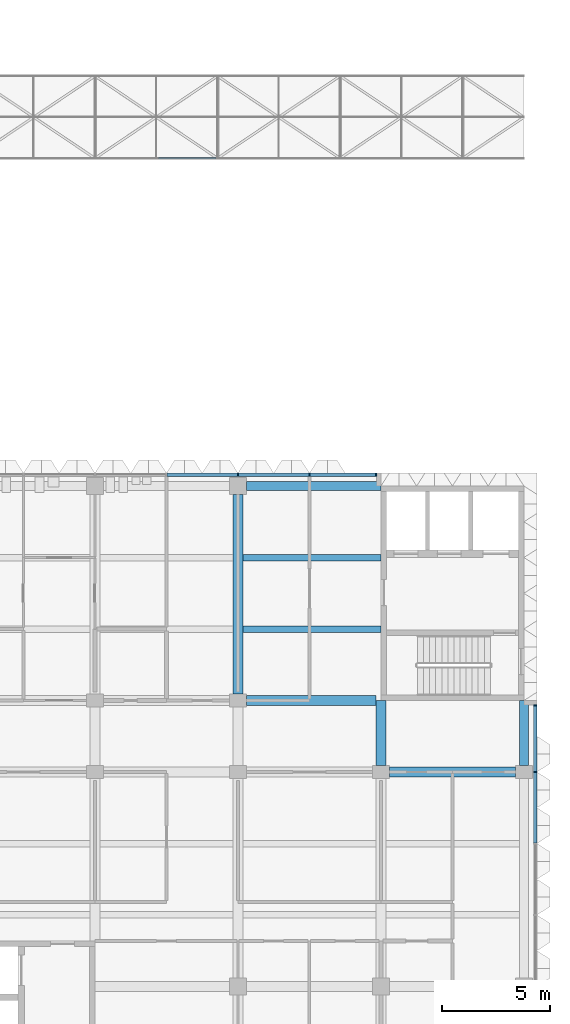
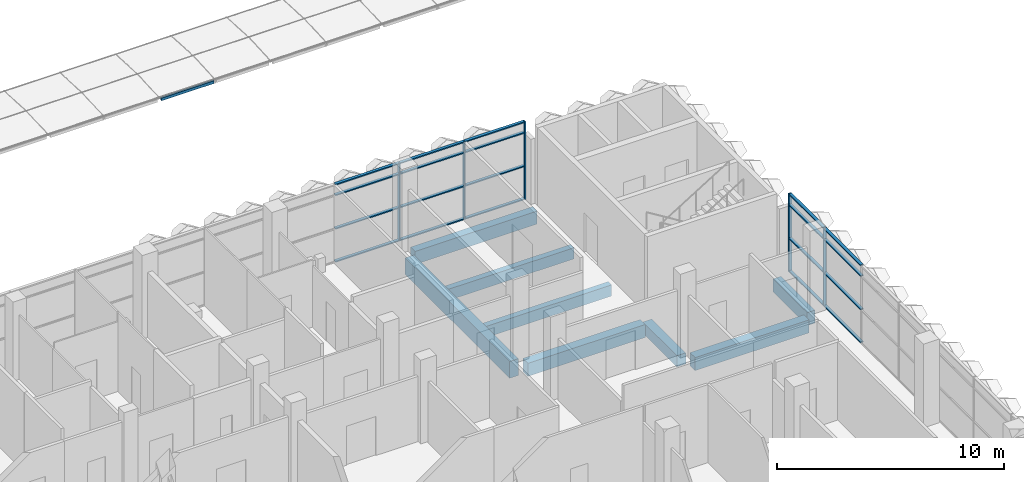
# One storey, part 12 of 61: 26 members, 8 beams, 2 elements without a shape of their own.
"""IFC4 building model written with IfcOpenShell, lengths in metres."""

from ifc_helpers import new_model, si_unit, direction, frame, origin, origin_2d, place, context, subcontext, project, spatial, rectangle, hollow_rectangle, extrude, material, material_profile, profile_set, type_object, element, aggregate, save


model = new_model("IFC4")

# Units and contexts
model_context = context("Model", 3, precision=1e-05, world=origin(), true_north=direction((0.0, 1.0)))
body_context = subcontext(model_context, "Body", "Model", "MODEL_VIEW")
ifc_project = project(units=[si_unit("LENGTHUNIT", "METRE"), si_unit("AREAUNIT", "SQUARE_METRE"), si_unit("VOLUMEUNIT", "CUBIC_METRE"), si_unit("PLANEANGLEUNIT", "RADIAN"), si_unit("MASSUNIT", "GRAM", prefix="KILO")], contexts=[model_context])

# Site, building, storey
site_placement = place(None, origin())
site = spatial("IfcSite", under=ifc_project, at=site_placement, CompositionType="ELEMENT")
building_placement = place(site_placement, origin())
building = spatial("IfcBuilding", under=site, at=building_placement, Name="Lantern Court Research Institute", CompositionType="ELEMENT")
storey_placement = place(building_placement, frame((0.0, 0.0, 23.39990234375)))
storey = spatial("IfcBuildingStorey", under=building, at=storey_placement, Name="L05", CompositionType="ELEMENT", Elevation=23.39990234375)

# Member
ifc_material_1 = material(Name="Structural steel S355", Category="steel")
ifc_material_profile_1 = material_profile(ifc_material_1, hollow_rectangle(XDim=0.080078125, YDim=0.159912109375, WallThickness=0.00634765625, at=origin_2d()), Name="Gridshell crown purlin RHS 160 x 80 x 6.3")
ifc_profile_set_1 = profile_set([ifc_material_profile_1], Name="Structural steel S355")
member_type_1 = type_object("IfcMemberType", Name="Gridshell crown purlin RHS 160 x 80 x 6.3", PredefinedType="PURLIN", material=ifc_profile_set_1)
member_1_placement = place(storey_placement, frame((62.32861328125, 38.23291015625, 0.024658203125), z_axis=(1.0, 0.0, 0.0), x_axis=(0.0, 0.994933962664, 0.100530641789)))
element("IfcMember", 1, at=member_1_placement, inside=storey, type_object=member_type_1, Name="Gridshell purlin", PredefinedType="PURLIN", context=body_context, shape_type="SweptSolid", body=[
    extrude(hollow_rectangle(XDim=0.080078125, YDim=0.159912109375, WallThickness=0.00634765625, at=origin_2d()), origin(), (0.0, 0.0, 1.0), 2.66845703125),
])

# Curtain wall, members
ifc_material_2 = material(Name="Aluminium alloy 6063-T6", Category="aluminium")
curtain_wall_type_1 = type_object("IfcCurtainWallType", Name="Curtain wall 21250 x 4200 x 150 aluminium frame", PredefinedType="NOTDEFINED", material=ifc_material_2)
curtain_wall_1_placement = place(storey_placement, origin())
curtain_wall_1 = element("IfcCurtainWall", 2, at=curtain_wall_1_placement, inside=storey, type_object=curtain_wall_type_1, Name="Curtain wall CW074", PredefinedType="NOTDEFINED")
ifc_material_3 = material(Name="Aluminium alloy 6063-T6", Category="aluminium")
ifc_material_profile_2 = material_profile(ifc_material_3, rectangle(XDim=0.14990234375, YDim=0.06005859375, at=origin_2d()), Name="Mullion 150 x 60")
ifc_profile_set_2 = profile_set([ifc_material_profile_2], Name="Aluminium alloy 6063-T6")
member_type_2 = type_object("IfcMemberType", Name="Mullion 150 x 60 aluminium", PredefinedType="MULLION", material=ifc_profile_set_2)
member_2_placement = place(storey_placement, frame((79.72509765625, 9.89990234375, 0.0), z_axis=(0.0, 0.0, 1.0), x_axis=(1.0, 0.0, 0.0)))
member_2 = element("IfcMember", 3, at=member_2_placement, type_object=member_type_2, Name="CW074 mullion 7", PredefinedType="MULLION", context=body_context, shape_type="SweptSolid", body=[
    extrude(rectangle(XDim=0.14990234375, YDim=0.06005859375, at=origin_2d()), origin(), (0.0, 0.0, 1.0), 4.2001953125),
])
member_3_placement = place(storey_placement, frame((79.72509765625, 12.969970703125, 0.0), z_axis=(0.0, 0.0, 1.0), x_axis=(1.0, 0.0, 0.0)))
member_3 = element("IfcMember", 4, at=member_3_placement, type_object=member_type_2, Name="CW074 mullion 8", PredefinedType="MULLION", context=body_context, shape_type="SweptSolid", body=[
    extrude(rectangle(XDim=0.14990234375, YDim=0.06005859375, at=origin_2d()), origin(), (0.0, 0.0, 1.0), 4.2001953125),
])

ifc_material_4 = material(Name="Aluminium alloy 6063-T6", Category="aluminium")
curtain_wall_type_2 = type_object("IfcCurtainWallType", Name="Curtain wall 19600 x 4200 x 150 aluminium frame", PredefinedType="NOTDEFINED", material=ifc_material_4)
curtain_wall_2_placement = place(storey_placement, origin())
curtain_wall_2 = element("IfcCurtainWall", 5, at=curtain_wall_2_placement, inside=storey, type_object=curtain_wall_type_2, Name="Curtain wall CW075", PredefinedType="NOTDEFINED")
member_4_placement = place(storey_placement, frame((66.0, 23.625, 0.0), z_axis=(0.0, 0.0, 1.0), x_axis=(0.0, 1.0, 0.0)))
member_4 = element("IfcMember", 6, at=member_4_placement, type_object=member_type_2, Name="CW075 mullion 5", PredefinedType="MULLION", context=body_context, shape_type="SweptSolid", body=[
    extrude(rectangle(XDim=0.14990234375, YDim=0.06005859375, at=origin_2d()), origin(), (0.0, 0.0, 1.0), 4.2001953125),
])
member_5_placement = place(storey_placement, frame((69.300048828125, 23.625, 0.0), z_axis=(0.0, 0.0, 1.0), x_axis=(0.0, 1.0, 0.0)))
member_5 = element("IfcMember", 7, at=member_5_placement, type_object=member_type_2, Name="CW075 mullion 6", PredefinedType="MULLION", context=body_context, shape_type="SweptSolid", body=[
    extrude(rectangle(XDim=0.14990234375, YDim=0.06005859375, at=origin_2d()), origin(), (0.0, 0.0, 1.0), 4.2001953125),
])
member_6_placement = place(storey_placement, frame((72.3701171875, 23.625, 0.0), z_axis=(0.0, 0.0, 1.0), x_axis=(0.0, 1.0, 0.0)))
member_6 = element("IfcMember", 8, at=member_6_placement, type_object=member_type_2, Name="CW075 mullion 7", PredefinedType="MULLION", context=body_context, shape_type="SweptSolid", body=[
    extrude(rectangle(XDim=0.14990234375, YDim=0.06005859375, at=origin_2d()), origin(), (0.0, 0.0, 1.0), 4.2001953125),
])

# Beams
ifc_material_5 = material(Name="Concrete C40/50", Category="concrete")
ifc_material_profile_3 = material_profile(ifc_material_5, rectangle(XDim=0.449951171875, YDim=0.699951171875, at=origin_2d()), Name="RC beam 450 x 700")
ifc_profile_set_3 = profile_set([ifc_material_profile_3], Name="Concrete C40/50")
beam_type_1 = type_object("IfcBeamType", Name="RC beam 450 x 700", PredefinedType="BEAM", material=ifc_profile_set_3)
beam_1_placement = place(storey_placement, frame((73.0, 9.89990234375, -0.64990234375), z_axis=(1.0, 0.0, 0.0), x_axis=(0.0, 1.0, 0.0)))
element("IfcBeam", 9, at=beam_1_placement, inside=storey, type_object=beam_type_1, Name="Beam L05 grid B/12-13", PredefinedType="BEAM", context=body_context, shape_type="SweptSolid", body=[
    extrude(rectangle(XDim=0.449951171875, YDim=0.699951171875, at=origin_2d()), origin(), (0.0, 0.0, 1.0), 5.800048828125),
])
beam_2_placement = place(storey_placement, frame((66.39990234375, 13.199951171875, -0.64990234375), z_axis=(1.0, 0.0, 0.0), x_axis=(0.0, 1.0, 0.0)))
element("IfcBeam", 10, at=beam_2_placement, inside=storey, type_object=beam_type_1, Name="Beam L05 grid C/11-12", PredefinedType="BEAM", context=body_context, shape_type="SweptSolid", body=[
    extrude(rectangle(XDim=0.449951171875, YDim=0.699951171875, at=origin_2d()), origin(), (0.0, 0.0, 1.0), 5.97509765625),
])
ifc_material_6 = material(Name="Concrete C40/50", Category="concrete")
ifc_material_profile_4 = material_profile(ifc_material_6, rectangle(XDim=0.39990234375, YDim=0.699951171875, at=origin_2d()), Name="RC beam 400 x 700")
ifc_profile_set_4 = profile_set([ifc_material_profile_4], Name="Concrete C40/50")
beam_type_2 = type_object("IfcBeamType", Name="RC edge beam 400 x 700", PredefinedType="BEAM", material=ifc_profile_set_4)
beam_3_placement = place(storey_placement, frame((79.199951171875, 10.199951171875, -0.64990234375), z_axis=(0.0, 1.0, 0.0), x_axis=(-1.0, 0.0, 0.0)))
element("IfcBeam", 11, at=beam_3_placement, inside=storey, type_object=beam_type_2, Name="Edge beam L05 grid 13/B-C", PredefinedType="BEAM", context=body_context, shape_type="SweptSolid", body=[
    extrude(rectangle(XDim=0.39990234375, YDim=0.699951171875, at=origin_2d()), origin(), (0.0, 0.0, 1.0), 3.0),
])
beam_4_placement = place(storey_placement, frame((66.39990234375, 23.10009765625, -0.64990234375), z_axis=(1.0, 0.0, 0.0), x_axis=(0.0, 1.0, 0.0)))
element("IfcBeam", 12, at=beam_4_placement, inside=storey, type_object=beam_type_2, Name="Edge beam L05 grid D/11-12", PredefinedType="BEAM", context=body_context, shape_type="SweptSolid", body=[
    extrude(rectangle(XDim=0.39990234375, YDim=0.699951171875, at=origin_2d()), origin(), (0.0, 0.0, 1.0), 6.2001953125),
])
ifc_material_7 = material(Name="Concrete C40/50", Category="concrete")
ifc_material_profile_5 = material_profile(ifc_material_7, rectangle(XDim=0.449951171875, YDim=0.89990234375, at=origin_2d()), Name="RC beam 450 x 900")
ifc_profile_set_5 = profile_set([ifc_material_profile_5], Name="Concrete C40/50")
beam_type_3 = type_object("IfcBeamType", Name="RC girder 450 x 900", PredefinedType="BEAM", material=ifc_profile_set_5)
beam_5_placement = place(storey_placement, frame((66.0, 13.5, -0.75), z_axis=(0.0, 1.0, 0.0), x_axis=(-1.0, 0.0, 0.0)))
element("IfcBeam", 13, at=beam_5_placement, inside=storey, type_object=beam_type_3, Name="Girder L05 grid 11/C-D", PredefinedType="BEAM", context=body_context, shape_type="SweptSolid", body=[
    extrude(rectangle(XDim=0.449951171875, YDim=0.89990234375, at=origin_2d()), origin(), (0.0, 0.0, 1.0), 9.199951171875),
])
ifc_material_8 = material(Name="Concrete C40/50", Category="concrete")
ifc_material_profile_6 = material_profile(ifc_material_8, rectangle(XDim=0.300048828125, YDim=0.60009765625, at=origin_2d()), Name="RC beam 300 x 600")
ifc_profile_set_6 = profile_set([ifc_material_profile_6], Name="Concrete C40/50")
beam_type_4 = type_object("IfcBeamType", Name="RC secondary beam 300 x 600", PredefinedType="BEAM", material=ifc_profile_set_6)
for number, where, z_axis, x_axis, name in (
    (14, (66.22509765625, 16.5, -0.599853515625), (1.0, 0.0, 0.0), (0.0, 1.0, 0.0), "Secondary beam L05 grids 11-12 / C-D, line 1"),
    (15, (66.22509765625, 19.800048828125, -0.599853515625), (1.0, 0.0, 0.0), (0.0, 1.0, 0.0), "Secondary beam L05 grids 11-12 / C-D, line 2"),
):
    element("IfcBeam", number, at=place(storey_placement, frame(where, z_axis=z_axis, x_axis=x_axis)), inside=storey, type_object=beam_type_4, Name=name, PredefinedType="BEAM", context=body_context, shape_type="SweptSolid", body=[
        extrude(rectangle(XDim=0.300048828125, YDim=0.60009765625, at=origin_2d()), origin(), (0.0, 0.0, 1.0), 6.375),
    ])
ifc_material_9 = material(Name="Concrete C40/50", Category="concrete")
ifc_material_profile_7 = material_profile(ifc_material_9, rectangle(XDim=0.449951171875, YDim=0.60009765625, at=origin_2d()), Name="RC beam 450 x 600")
ifc_profile_set_7 = profile_set([ifc_material_profile_7], Name="Concrete C40/50")
beam_type_5 = type_object("IfcBeamType", Name="RC spine beam 450 x 600", PredefinedType="BEAM", material=ifc_profile_set_7)
beam_6_placement = place(storey_placement, frame((72.60009765625, 10.199951171875, -0.599853515625), z_axis=(0.0, 1.0, 0.0), x_axis=(-1.0, 0.0, 0.0)))
element("IfcBeam", 16, at=beam_6_placement, inside=storey, type_object=beam_type_5, Name="Beam L05 grid 12/B-C", PredefinedType="BEAM", context=body_context, shape_type="SweptSolid", body=[
    extrude(rectangle(XDim=0.449951171875, YDim=0.60009765625, at=origin_2d()), origin(), (0.0, 0.0, 1.0), 3.0),
])

# Member
ifc_material_10 = material(Name="Aluminium alloy 6063-T6", Category="aluminium")
ifc_material_profile_8 = material_profile(ifc_material_10, rectangle(XDim=0.14990234375, YDim=0.06005859375, at=origin_2d()), Name="Transom 150 x 60")
ifc_profile_set_8 = profile_set([ifc_material_profile_8], Name="Aluminium alloy 6063-T6")
member_type_3 = type_object("IfcMemberType", Name="Transom 150 x 60 aluminium", PredefinedType="USERDEFINED", material=ifc_profile_set_8)
member_7_placement = place(storey_placement, frame((79.72509765625, 9.8701171875, 0.030029296875), z_axis=(0.0, -1.0, 0.0), x_axis=(1.0, 0.0, 0.0)))
member_7 = element("IfcMember", 17, at=member_7_placement, type_object=member_type_3, Name="CW074 transom 6.1", ObjectType="TRANSOM", PredefinedType="USERDEFINED", context=body_context, shape_type="SweptSolid", body=[
    extrude(rectangle(XDim=0.14990234375, YDim=0.06005859375, at=origin_2d()), origin(), (0.0, 0.0, 1.0), 3.240234375),
])

member_8_placement = place(storey_placement, frame((79.72509765625, 9.8701171875, 1.800048828125), z_axis=(0.0, -1.0, 0.0), x_axis=(1.0, 0.0, 0.0)))
member_8 = element("IfcMember", 18, at=member_8_placement, type_object=member_type_3, Name="CW074 transom 6.2", ObjectType="TRANSOM", PredefinedType="USERDEFINED", context=body_context, shape_type="SweptSolid", body=[
    extrude(rectangle(XDim=0.14990234375, YDim=0.06005859375, at=origin_2d()), origin(), (0.0, 0.0, 1.0), 3.240234375),
])

member_9_placement = place(storey_placement, frame((79.72509765625, 9.8701171875, 3.60009765625), z_axis=(0.0, -1.0, 0.0), x_axis=(1.0, 0.0, 0.0)))
member_9 = element("IfcMember", 19, at=member_9_placement, type_object=member_type_3, Name="CW074 transom 6.3", ObjectType="TRANSOM", PredefinedType="USERDEFINED", context=body_context, shape_type="SweptSolid", body=[
    extrude(rectangle(XDim=0.14990234375, YDim=0.06005859375, at=origin_2d()), origin(), (0.0, 0.0, 1.0), 3.240234375),
])

member_10_placement = place(storey_placement, frame((79.72509765625, 9.8701171875, 4.170166015625), z_axis=(0.0, -1.0, 0.0), x_axis=(1.0, 0.0, 0.0)))
member_10 = element("IfcMember", 20, at=member_10_placement, type_object=member_type_3, Name="CW074 transom 6.4", ObjectType="TRANSOM", PredefinedType="USERDEFINED", context=body_context, shape_type="SweptSolid", body=[
    extrude(rectangle(XDim=0.14990234375, YDim=0.06005859375, at=origin_2d()), origin(), (0.0, 0.0, 1.0), 3.240234375),
])

member_11_placement = place(storey_placement, frame((79.72509765625, 12.93994140625, 0.030029296875), z_axis=(0.0, -1.0, 0.0), x_axis=(1.0, 0.0, 0.0)))
member_11 = element("IfcMember", 21, at=member_11_placement, type_object=member_type_3, Name="CW074 transom 7.1", ObjectType="TRANSOM", PredefinedType="USERDEFINED", context=body_context, shape_type="SweptSolid", body=[
    extrude(rectangle(XDim=0.14990234375, YDim=0.06005859375, at=origin_2d()), origin(), (0.0, 0.0, 1.0), 3.010009765625),
])

member_12_placement = place(storey_placement, frame((79.72509765625, 12.93994140625, 1.800048828125), z_axis=(0.0, -1.0, 0.0), x_axis=(1.0, 0.0, 0.0)))
member_12 = element("IfcMember", 22, at=member_12_placement, type_object=member_type_3, Name="CW074 transom 7.2", ObjectType="TRANSOM", PredefinedType="USERDEFINED", context=body_context, shape_type="SweptSolid", body=[
    extrude(rectangle(XDim=0.14990234375, YDim=0.06005859375, at=origin_2d()), origin(), (0.0, 0.0, 1.0), 3.010009765625),
])

member_13_placement = place(storey_placement, frame((79.72509765625, 12.93994140625, 3.60009765625), z_axis=(0.0, -1.0, 0.0), x_axis=(1.0, 0.0, 0.0)))
member_13 = element("IfcMember", 23, at=member_13_placement, type_object=member_type_3, Name="CW074 transom 7.3", ObjectType="TRANSOM", PredefinedType="USERDEFINED", context=body_context, shape_type="SweptSolid", body=[
    extrude(rectangle(XDim=0.14990234375, YDim=0.06005859375, at=origin_2d()), origin(), (0.0, 0.0, 1.0), 3.010009765625),
])

member_14_placement = place(storey_placement, frame((79.72509765625, 12.93994140625, 4.170166015625), z_axis=(0.0, -1.0, 0.0), x_axis=(1.0, 0.0, 0.0)))
member_14 = element("IfcMember", 24, at=member_14_placement, type_object=member_type_3, Name="CW074 transom 7.4", ObjectType="TRANSOM", PredefinedType="USERDEFINED", context=body_context, shape_type="SweptSolid", body=[
    extrude(rectangle(XDim=0.14990234375, YDim=0.06005859375, at=origin_2d()), origin(), (0.0, 0.0, 1.0), 3.010009765625),
])

aggregate(curtain_wall_1, [member_2, member_3, member_7, member_8, member_9, member_10, member_11, member_12, member_13, member_14])

member_15_placement = place(storey_placement, frame((62.72998046875, 23.625, 0.030029296875), z_axis=(1.0, 0.0, 0.0), x_axis=(0.0, 1.0, 0.0)))
member_15 = element("IfcMember", 25, at=member_15_placement, type_object=member_type_3, Name="CW075 transom 4.1", ObjectType="TRANSOM", PredefinedType="USERDEFINED", context=body_context, shape_type="SweptSolid", body=[
    extrude(rectangle(XDim=0.14990234375, YDim=0.06005859375, at=origin_2d()), origin(), (0.0, 0.0, 1.0), 3.239990234375),
])

member_16_placement = place(storey_placement, frame((62.72998046875, 23.625, 1.800048828125), z_axis=(1.0, 0.0, 0.0), x_axis=(0.0, 1.0, 0.0)))
member_16 = element("IfcMember", 26, at=member_16_placement, type_object=member_type_3, Name="CW075 transom 4.2", ObjectType="TRANSOM", PredefinedType="USERDEFINED", context=body_context, shape_type="SweptSolid", body=[
    extrude(rectangle(XDim=0.14990234375, YDim=0.06005859375, at=origin_2d()), origin(), (0.0, 0.0, 1.0), 3.239990234375),
])

member_17_placement = place(storey_placement, frame((62.72998046875, 23.625, 3.60009765625), z_axis=(1.0, 0.0, 0.0), x_axis=(0.0, 1.0, 0.0)))
member_17 = element("IfcMember", 27, at=member_17_placement, type_object=member_type_3, Name="CW075 transom 4.3", ObjectType="TRANSOM", PredefinedType="USERDEFINED", context=body_context, shape_type="SweptSolid", body=[
    extrude(rectangle(XDim=0.14990234375, YDim=0.06005859375, at=origin_2d()), origin(), (0.0, 0.0, 1.0), 3.239990234375),
])

member_18_placement = place(storey_placement, frame((62.72998046875, 23.625, 4.170166015625), z_axis=(1.0, 0.0, 0.0), x_axis=(0.0, 1.0, 0.0)))
member_18 = element("IfcMember", 28, at=member_18_placement, type_object=member_type_3, Name="CW075 transom 4.4", ObjectType="TRANSOM", PredefinedType="USERDEFINED", context=body_context, shape_type="SweptSolid", body=[
    extrude(rectangle(XDim=0.14990234375, YDim=0.06005859375, at=origin_2d()), origin(), (0.0, 0.0, 1.0), 3.239990234375),
])

member_19_placement = place(storey_placement, frame((66.030029296875, 23.625, 0.030029296875), z_axis=(1.0, 0.0, 0.0), x_axis=(0.0, 1.0, 0.0)))
member_19 = element("IfcMember", 29, at=member_19_placement, type_object=member_type_3, Name="CW075 transom 5.1", ObjectType="TRANSOM", PredefinedType="USERDEFINED", context=body_context, shape_type="SweptSolid", body=[
    extrude(rectangle(XDim=0.14990234375, YDim=0.06005859375, at=origin_2d()), origin(), (0.0, 0.0, 1.0), 3.239990234375),
])

member_20_placement = place(storey_placement, frame((66.030029296875, 23.625, 1.800048828125), z_axis=(1.0, 0.0, 0.0), x_axis=(0.0, 1.0, 0.0)))
member_20 = element("IfcMember", 30, at=member_20_placement, type_object=member_type_3, Name="CW075 transom 5.2", ObjectType="TRANSOM", PredefinedType="USERDEFINED", context=body_context, shape_type="SweptSolid", body=[
    extrude(rectangle(XDim=0.14990234375, YDim=0.06005859375, at=origin_2d()), origin(), (0.0, 0.0, 1.0), 3.239990234375),
])

member_21_placement = place(storey_placement, frame((66.030029296875, 23.625, 3.60009765625), z_axis=(1.0, 0.0, 0.0), x_axis=(0.0, 1.0, 0.0)))
member_21 = element("IfcMember", 31, at=member_21_placement, type_object=member_type_3, Name="CW075 transom 5.3", ObjectType="TRANSOM", PredefinedType="USERDEFINED", context=body_context, shape_type="SweptSolid", body=[
    extrude(rectangle(XDim=0.14990234375, YDim=0.06005859375, at=origin_2d()), origin(), (0.0, 0.0, 1.0), 3.239990234375),
])

member_22_placement = place(storey_placement, frame((66.030029296875, 23.625, 4.170166015625), z_axis=(1.0, 0.0, 0.0), x_axis=(0.0, 1.0, 0.0)))
member_22 = element("IfcMember", 32, at=member_22_placement, type_object=member_type_3, Name="CW075 transom 5.4", ObjectType="TRANSOM", PredefinedType="USERDEFINED", context=body_context, shape_type="SweptSolid", body=[
    extrude(rectangle(XDim=0.14990234375, YDim=0.06005859375, at=origin_2d()), origin(), (0.0, 0.0, 1.0), 3.239990234375),
])

member_23_placement = place(storey_placement, frame((69.330078125, 23.625, 0.030029296875), z_axis=(1.0, 0.0, 0.0), x_axis=(0.0, 1.0, 0.0)))
member_23 = element("IfcMember", 33, at=member_23_placement, type_object=member_type_3, Name="CW075 transom 6.1", ObjectType="TRANSOM", PredefinedType="USERDEFINED", context=body_context, shape_type="SweptSolid", body=[
    extrude(rectangle(XDim=0.14990234375, YDim=0.06005859375, at=origin_2d()), origin(), (0.0, 0.0, 1.0), 3.010009765625),
])

member_24_placement = place(storey_placement, frame((69.330078125, 23.625, 1.800048828125), z_axis=(1.0, 0.0, 0.0), x_axis=(0.0, 1.0, 0.0)))
member_24 = element("IfcMember", 34, at=member_24_placement, type_object=member_type_3, Name="CW075 transom 6.2", ObjectType="TRANSOM", PredefinedType="USERDEFINED", context=body_context, shape_type="SweptSolid", body=[
    extrude(rectangle(XDim=0.14990234375, YDim=0.06005859375, at=origin_2d()), origin(), (0.0, 0.0, 1.0), 3.010009765625),
])

member_25_placement = place(storey_placement, frame((69.330078125, 23.625, 3.60009765625), z_axis=(1.0, 0.0, 0.0), x_axis=(0.0, 1.0, 0.0)))
member_25 = element("IfcMember", 35, at=member_25_placement, type_object=member_type_3, Name="CW075 transom 6.3", ObjectType="TRANSOM", PredefinedType="USERDEFINED", context=body_context, shape_type="SweptSolid", body=[
    extrude(rectangle(XDim=0.14990234375, YDim=0.06005859375, at=origin_2d()), origin(), (0.0, 0.0, 1.0), 3.010009765625),
])

member_26_placement = place(storey_placement, frame((69.330078125, 23.625, 4.170166015625), z_axis=(1.0, 0.0, 0.0), x_axis=(0.0, 1.0, 0.0)))
member_26 = element("IfcMember", 36, at=member_26_placement, type_object=member_type_3, Name="CW075 transom 6.4", ObjectType="TRANSOM", PredefinedType="USERDEFINED", context=body_context, shape_type="SweptSolid", body=[
    extrude(rectangle(XDim=0.14990234375, YDim=0.06005859375, at=origin_2d()), origin(), (0.0, 0.0, 1.0), 3.010009765625),
])

aggregate(curtain_wall_2, [member_4, member_5, member_6, member_15, member_16, member_17, member_18, member_19, member_20, member_21, member_22, member_23, member_24, member_25, member_26])

save(model, "model.ifc")
